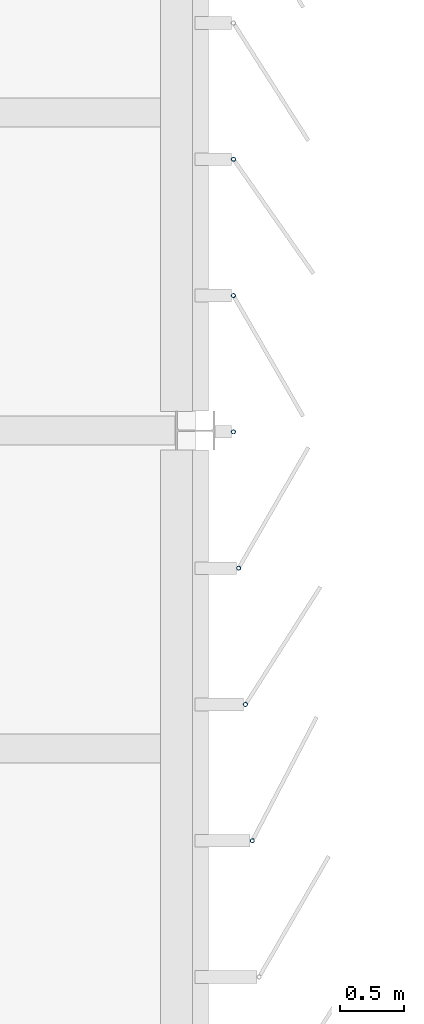
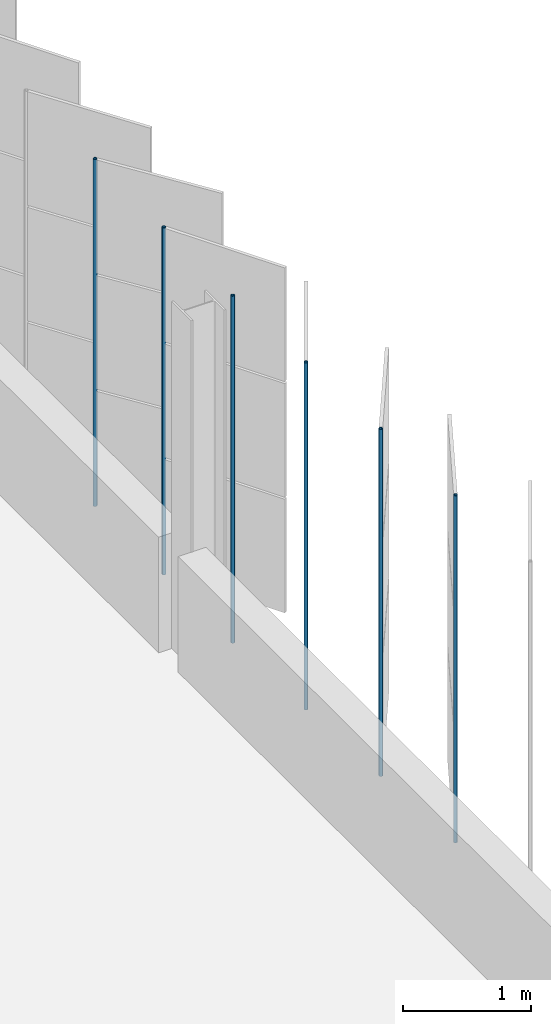
# One storey, part 110 of 214: 6 discrete accessories.
"""IFC4 building model written with IfcOpenShell, lengths in metres."""

from ifc_helpers import new_model, si_unit, direction, frame, origin, origin_2d, place, context, subcontext, project, spatial, hollow_circle, extrude, material, material_profile, profile_set, type_object, element, save


model = new_model("IFC4")

# Units and contexts
model_context = context("Model", 3, precision=1e-05, world=origin(), true_north=direction((0.0, 1.0)))
body_context = subcontext(model_context, "Body", "Model", "MODEL_VIEW")
ifc_project = project(units=[si_unit("LENGTHUNIT", "METRE"), si_unit("AREAUNIT", "SQUARE_METRE"), si_unit("VOLUMEUNIT", "CUBIC_METRE"), si_unit("PLANEANGLEUNIT", "RADIAN"), si_unit("MASSUNIT", "GRAM", prefix="KILO")], contexts=[model_context])

# Site, building, storey
site_placement = place(None, origin())
site = spatial("IfcSite", under=ifc_project, at=site_placement, CompositionType="ELEMENT")
building_placement = place(site_placement, origin())
building = spatial("IfcBuilding", under=site, at=building_placement, Name="Parallax Yard Mobility Hub", CompositionType="ELEMENT")
storey_placement = place(building_placement, frame((0.0, 0.0, 3.300048828125)))
storey = spatial("IfcBuildingStorey", under=building, at=storey_placement, Name="L01", CompositionType="ELEMENT", Elevation=3.300048828125)

# Discrete accessories
ifc_material = material(Name="Steel ASTM A500 Gr C, hot-dip galvanised", Category="steel")
ifc_material_profile = material_profile(ifc_material, hollow_circle(Radius=0.016845703125, WallThickness=0.003173828125, at=origin_2d()), Name="CHS 33.7x3.2")
ifc_profile_set = profile_set([ifc_material_profile], Name="Steel ASTM A500 Gr C, hot-dip galvanised")
discrete_accessory_type = type_object("IfcDiscreteAccessoryType", Name="Hinge post CHS 33.7x3.2", PredefinedType="BRACKET", material=ifc_profile_set)
for number, where, z_axis, x_axis, name in (
    (1, (225.4482421875, 41.774658203125, 0.0), (0.0, 0.0, 1.0), (1.0, 0.0, 0.0), "Hinge post bay 34.5 level L01"),
    (2, (225.39453125, 42.84619140625, 0.0), (0.0, 0.0, 1.0), (1.0, 0.0, 0.0), "Hinge post bay 34.6 level L01"),
    (3, (225.341064453125, 43.91796875, 0.0), (0.0, 0.0, 1.0), (1.0, 0.0, 0.0), "Hinge post bay 34.7 level L01"),
    (4, (225.300048828125, 44.98974609375, 0.0), (0.0, 0.0, 1.0), (1.0, 0.0, 0.0), "Hinge post bay 35.1 level L01"),
    (5, (225.300048828125, 46.0615234375, 0.0), (0.0, 0.0, 1.0), (1.0, 0.0, 0.0), "Hinge post bay 35.2 level L01"),
    (6, (225.300048828125, 47.13330078125, 0.0), (0.0, 0.0, 1.0), (1.0, 0.0, 0.0), "Hinge post bay 35.3 level L01"),
):
    element("IfcDiscreteAccessory", number, at=place(storey_placement, frame(where, z_axis=z_axis, x_axis=x_axis)), inside=storey, type_object=discrete_accessory_type, Name=name, PredefinedType="BRACKET", context=body_context, shape_type="SweptSolid", body=[
        extrude(hollow_circle(Radius=0.016845703125, WallThickness=0.003173828125, at=origin_2d()), origin(), (0.0, 0.0, 1.0), 3.300048828125),
    ])

save(model, "model.ifc")
